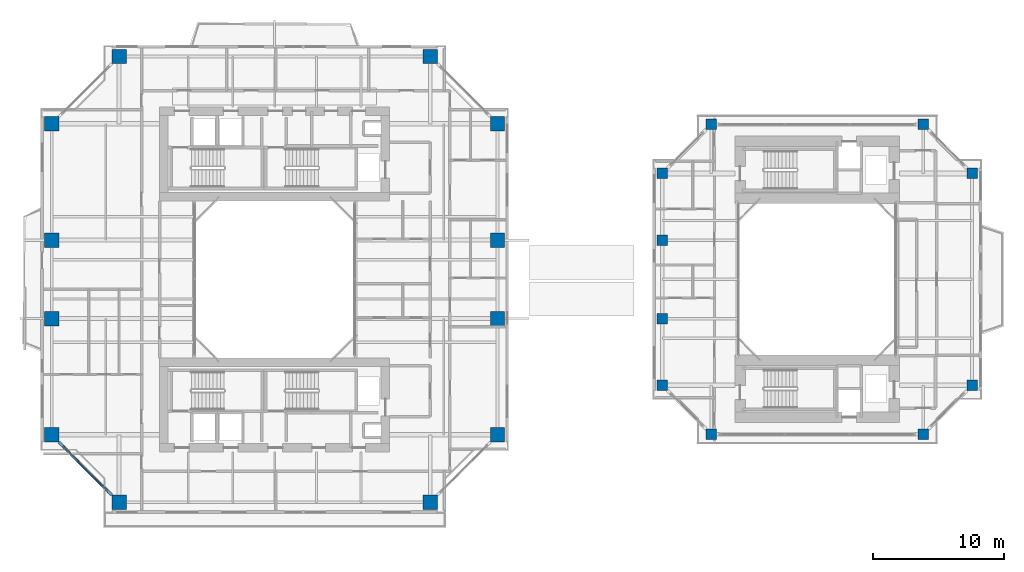
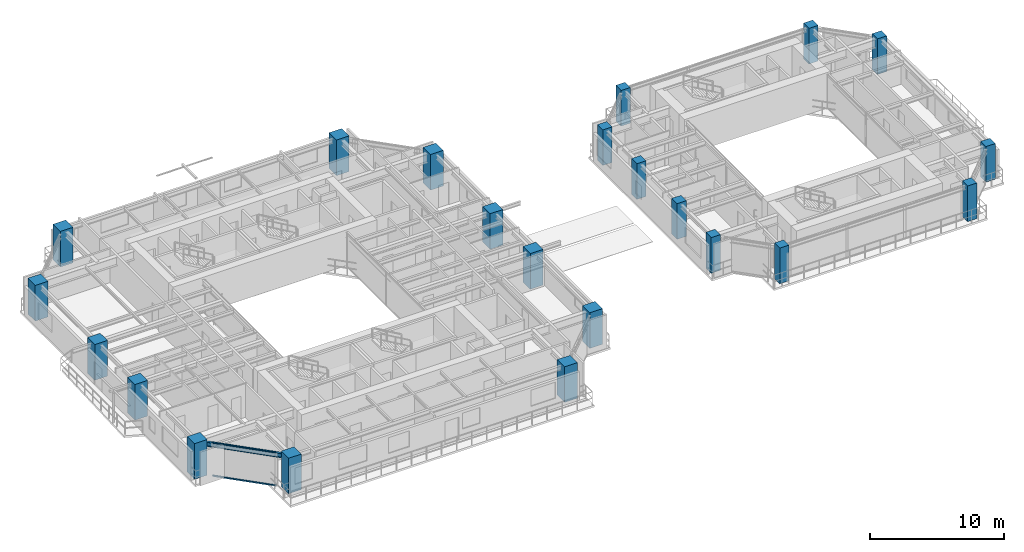
# One storey, part 1 of 23: 22 columns, 2 members, 1 beam, 1 element without a shape of its own.
"""IFC4 building model written with IfcOpenShell, lengths in metres."""

import ifcopenshell
import ifcopenshell.guid

model = None  # the IFC model being written
_history = None  # IfcOwnerHistory: only IFC2X3 demands one
_inside = {}  # id of a spatial element -> (the spatial element, [elements in it])
_under = {}  # id of a project, library or spatial element -> (it, [spatial elements below it])
_declared = {}  # id of a project -> (the project, [libraries it declares])
_typed = {}  # id of a type object -> (the type object, [elements of that type])
_made_of = {}  # id of a material, layer set ... -> (it, [elements and type objects made of it])


def new_model(schema):
    """Start an empty IFC model of exactly this schema.

    Asked for "IFC4X3", IfcOpenShell would pick the latest addendum, in which some entities
    have other attributes; the version numbers below select the first issue.
    IFC2X3 requires an IfcOwnerHistory on every rooted entity: one is made here for all.
    """
    global model, _history
    if schema == "IFC4X3":
        model = ifcopenshell.file(schema_version=(4, 3, 0, 0))
    else:
        model = ifcopenshell.file(schema=schema)
    _inside.clear()
    _under.clear()
    _declared.clear()
    _typed.clear()
    _made_of.clear()
    _history = None
    if model.schema == "IFC2X3":
        org = make("IfcOrganization", Name="unknown")
        user = make(
            "IfcPersonAndOrganization",
            ThePerson=make("IfcPerson", FamilyName="unknown"),
            TheOrganization=org,
        )
        app = make(
            "IfcApplication",
            ApplicationDeveloper=org,
            Version="unknown",
            ApplicationFullName="unknown",
            ApplicationIdentifier="unknown",
        )
        _history = make(
            "IfcOwnerHistory",
            OwningUser=user,
            OwningApplication=app,
            ChangeAction="ADDED",
            CreationDate=0,
        )
    return model


def make(cls, **values):
    """One entity of the class cls with the attributes given. An attribute that is None is left unset."""
    return model.create_entity(
        cls, **{name: value for name, value in values.items() if value is not None}
    )


def rooted(cls, **values):
    """An entity with a GlobalId (a new one), such as an element, a storey or a relation."""
    return make(cls, GlobalId=ifcopenshell.guid.new(), OwnerHistory=_history, **values)


def si_unit(unit_type, name, prefix=None):
    """IfcSIUnit, for example si_unit("LENGTHUNIT", "METRE", prefix="MILLI")."""
    return make("IfcSIUnit", UnitType=unit_type, Prefix=prefix, Name=name)


def assignment(units):
    """IfcUnitAssignment: the units of a project."""
    return None if units is None else make("IfcUnitAssignment", Units=units)


def point(xyz):
    """IfcCartesianPoint."""
    return None if xyz is None else make("IfcCartesianPoint", Coordinates=xyz)


def direction(xyz):
    """IfcDirection."""
    return None if xyz is None else make("IfcDirection", DirectionRatios=xyz)


def frame(location, z_axis=None, x_axis=None):
    """IfcAxis2Placement3D, a coordinate frame: its origin and axes. An axis left out is left unset."""
    return make(
        "IfcAxis2Placement3D",
        Location=point(location),
        Axis=direction(z_axis),
        RefDirection=direction(x_axis),
    )


def frame_2d(location, x_axis=None):
    """IfcAxis2Placement2D, a coordinate frame in the plane: its origin and x axis."""
    return make(
        "IfcAxis2Placement2D", Location=point(location), RefDirection=direction(x_axis)
    )


def origin():
    """The frame at (0, 0, 0) with its axes left unset."""
    return frame((0.0, 0.0, 0.0))


def origin_2d():
    """The frame at (0, 0) in the plane with its x axis left unset."""
    return frame_2d((0.0, 0.0))


def place(relative_to, where):
    """IfcLocalPlacement: puts the frame where relative to a parent placement (None: the world)."""
    return make(
        "IfcLocalPlacement", PlacementRelTo=relative_to, RelativePlacement=where
    )


def context(
    kind, dimensions, precision=None, world=None, true_north=None, identifier=None
):
    """IfcGeometricRepresentationContext, for example the 3D "Model" context."""
    return make(
        "IfcGeometricRepresentationContext",
        ContextIdentifier=identifier,
        ContextType=kind,
        CoordinateSpaceDimension=dimensions,
        Precision=precision,
        WorldCoordinateSystem=world,
        TrueNorth=true_north,
    )


def subcontext(parent, identifier, kind, view, scale=None):
    """IfcGeometricRepresentationSubContext, for example "Body" below "Model"."""
    return make(
        "IfcGeometricRepresentationSubContext",
        ContextIdentifier=identifier,
        ContextType=kind,
        ParentContext=parent,
        TargetScale=scale,
        TargetView=view,
    )


def project(units=None, contexts=None):
    """IfcProject with its units and contexts."""
    return rooted(
        "IfcProject",
        Name="project",
        RepresentationContexts=contexts,
        UnitsInContext=assignment(units),
    )


def spatial(cls, under=None, at=None, **own):
    """A site, building, storey or space (cls), placed at a placement, below another one or the project."""
    s = rooted(cls, ObjectPlacement=at, **own)
    if under is not None:
        _under.setdefault(under.id(), (under, []))[1].append(s)
    return s


def profile(cls, at=None, kind="AREA", **sizes):
    """A parametric profile (cls). Its sizes go by their IFC names, for example OverallWidth=200.0."""
    return make(cls, ProfileType=kind, Position=at, **sizes)


def rectangle(**sizes):
    """IfcRectangleProfileDef."""
    return profile("IfcRectangleProfileDef", **sizes)


def i_section(**sizes):
    """IfcIShapeProfileDef."""
    return profile("IfcIShapeProfileDef", **sizes)


def extrude(swept, where, along, depth):
    """IfcExtrudedAreaSolid: the profile swept, set in the frame where, extruded along a direction by depth."""
    return make(
        "IfcExtrudedAreaSolid",
        SweptArea=swept,
        Position=where,
        ExtrudedDirection=direction(along),
        Depth=depth,
    )


def shape(context_of_items, identifier, shape_type, items):
    """IfcShapeRepresentation: the items that make up one representation, for example the "Body"."""
    return make(
        "IfcShapeRepresentation",
        ContextOfItems=context_of_items,
        RepresentationIdentifier=identifier,
        RepresentationType=shape_type,
        Items=items,
    )


def source(mapping_origin, context_of_items, identifier, shape_type, items):
    """IfcRepresentationMap: a shape defined once, which mapped items show again and again."""
    return make(
        "IfcRepresentationMap",
        MappingOrigin=mapping_origin,
        MappedRepresentation=shape(context_of_items, identifier, shape_type, items),
    )


def transform(
    local_origin,
    x_axis=None,
    y_axis=None,
    z_axis=None,
    scale=None,
    scale2=None,
    scale3=None,
    uniform=True,
):
    """IfcCartesianTransformationOperator3D, or its non-uniform kind. x_axis, y_axis, z_axis: its Axis1, 2, 3."""
    if uniform:
        return make(
            "IfcCartesianTransformationOperator3D",
            Axis1=direction(x_axis),
            Axis2=direction(y_axis),
            LocalOrigin=point(local_origin),
            Scale=scale,
            Axis3=direction(z_axis),
        )
    return make(
        "IfcCartesianTransformationOperator3DnonUniform",
        Axis1=direction(x_axis),
        Axis2=direction(y_axis),
        LocalOrigin=point(local_origin),
        Scale=scale,
        Axis3=direction(z_axis),
        Scale2=scale2,
        Scale3=scale3,
    )


def mapped(mapping_source, mapping_target):
    """IfcMappedItem: shows the shape of a source again, moved by a transform."""
    return make(
        "IfcMappedItem", MappingSource=mapping_source, MappingTarget=mapping_target
    )


def material(Name=None, Category=None):
    """IfcMaterial."""
    return make("IfcMaterial", Name=Name, Category=Category)


def layer(
    of_material, thickness, ventilated=None, Name=None, Category=None, Priority=None
):
    """IfcMaterialLayer: one layer of a wall or slab, of a material (None: an air gap)."""
    return make(
        "IfcMaterialLayer",
        Material=of_material,
        LayerThickness=thickness,
        IsVentilated=ventilated,
        Name=Name,
        Category=Category,
        Priority=Priority,
    )


def layer_set(layers, Name=None):
    """IfcMaterialLayerSet."""
    return make("IfcMaterialLayerSet", MaterialLayers=layers, LayerSetName=Name)


def material_profile(
    of_material, cross_section, Name=None, Category=None, Priority=None
):
    """IfcMaterialProfile: a cross section and its material."""
    return make(
        "IfcMaterialProfile",
        Name=Name,
        Material=of_material,
        Profile=cross_section,
        Priority=Priority,
        Category=Category,
    )


def profile_set(profiles, Name=None, composite=None):
    """IfcMaterialProfileSet."""
    return make(
        "IfcMaterialProfileSet",
        Name=Name,
        MaterialProfiles=profiles,
        CompositeProfile=composite,
    )


def made_of(thing, what):
    """Note that an element or type object is made of a material, layer set ...; save() writes the relation."""
    if what is not None:
        _made_of.setdefault(what.id(), (what, []))[1].append(thing)
    return thing


def type_object(cls, material=None, **own):
    """A type object (cls), such as IfcWallType, which elements share."""
    return made_of(rooted(cls, **own), material)


def element(
    cls,
    number,
    at=None,
    inside=None,
    cuts=None,
    type_object=None,
    material=None,
    context=None,
    identifier="Body",
    shape_type=None,
    held_by="IfcProductDefinitionShape",
    body=None,
    shapes=None,
    **own,
):
    """One element of the class cls, such as IfcWall. Its Tag is "e" and its number.

    at: its placement. inside: the storey or other place that contains it. cuts: it is an
    opening in that element (IfcRelVoidsElement). A single representation is given by context,
    identifier, shape_type and body (its items); several are given by shapes. held_by: the class
    of the entity that holds the representations. save() writes the other relations.
    """
    e = rooted(cls, Tag="e%d" % number, ObjectPlacement=at, **own)
    if body is not None:
        shapes = [shape(context, identifier, shape_type, body)]
    if shapes is not None:
        e.Representation = make(held_by, Representations=shapes)
    if inside is not None:
        _inside.setdefault(inside.id(), (inside, []))[1].append(e)
    if cuts is not None:
        rooted(
            "IfcRelVoidsElement", RelatingBuildingElement=cuts, RelatedOpeningElement=e
        )
    if type_object is not None:
        _typed.setdefault(type_object.id(), (type_object, []))[1].append(e)
    return made_of(e, material)


def aggregate(whole, parts):
    """IfcRelAggregates: a whole, such as a stair, and the parts it consists of."""
    return rooted("IfcRelAggregates", RelatingObject=whole, RelatedObjects=parts)


def save(model, path):
    """Write the relations noted so far, then the file.

    IfcRelAggregates (storeys below a building ...), IfcRelContainedInSpatialStructure (elements
    in a storey), IfcRelDefinesByType, IfcRelAssociatesMaterial and IfcRelDeclares: one each for
    every whole, place, type object, material and project.
    """
    for whole, parts in _under.values():
        aggregate(whole, parts)
    for where, things in _inside.values():
        rooted(
            "IfcRelContainedInSpatialStructure",
            RelatedElements=things,
            RelatingStructure=where,
        )
    for kind, things in _typed.values():
        rooted("IfcRelDefinesByType", RelatedObjects=things, RelatingType=kind)
    for what, things in _made_of.values():
        rooted("IfcRelAssociatesMaterial", RelatedObjects=things, RelatingMaterial=what)
    for by, libraries in _declared.values():
        rooted("IfcRelDeclares", RelatingContext=by, RelatedDefinitions=libraries)
    model.write(path)


model = new_model("IFC4")

# Units and contexts
model_context = context("Model", 3, precision=1e-05, world=origin(), true_north=direction((0.0, 1.0)))
body_context = subcontext(model_context, "Body", "Model", "MODEL_VIEW")
ifc_project = project(units=[si_unit("LENGTHUNIT", "METRE"), si_unit("AREAUNIT", "SQUARE_METRE"), si_unit("VOLUMEUNIT", "CUBIC_METRE"), si_unit("PLANEANGLEUNIT", "RADIAN"), si_unit("MASSUNIT", "GRAM", prefix="KILO"), si_unit("THERMODYNAMICTEMPERATUREUNIT", "KELVIN"), si_unit("POWERUNIT", "WATT")], contexts=[model_context])

# Site, building, storey
site_placement = place(None, origin())
site = spatial("IfcSite", under=ifc_project, at=site_placement, CompositionType="ELEMENT")
building_placement = place(site_placement, origin())
building = spatial("IfcBuilding", under=site, at=building_placement, Name="Qiaomeng Ring Towers", CompositionType="ELEMENT")
storey_placement = place(building_placement, frame((0.0, 0.0, 97.0)))
storey = spatial("IfcBuildingStorey", under=building, at=storey_placement, Name="L27", CompositionType="ELEMENT", Elevation=97.0)

# Columns
ifc_material_1 = material(Name="Concrete C55", Category="concrete")
ifc_material_profile_1 = material_profile(ifc_material_1, rectangle(XDim=0.800048828125, YDim=0.800048828125, at=origin_2d()), Name="RC COL 800x800")
ifc_profile_set_1 = profile_set([ifc_material_profile_1], Name="Concrete C55")
column_type_1 = type_object("IfcColumnType", Name="STR-COL-800-C55", PredefinedType="COLUMN", material=ifc_profile_set_1)
shared_shape_1 = source(origin(), body_context, "Body", "SweptSolid", [
    extrude(rectangle(XDim=0.800048828125, YDim=0.800048828125, at=origin_2d()), origin(), (0.0, 0.0, 1.0), 3.25),
])
for number, where, z_axis, x_axis, name in (
    (1, (52.39990234375, 11.14990234375, 0.0), (0.0, 0.0, 1.0), (1.0, 0.0, 0.0), "L27 column STR-COL-L27-T2-S1"),
    (2, (68.60009765625, 11.14990234375, 0.0), (0.0, 0.0, 1.0), (1.0, 0.0, 0.0), "L27 column STR-COL-L27-T2-S2"),
    (3, (72.35009765625, 14.89990234375, 0.0), (0.0, 0.0, 1.0), (1.0, 0.0, 0.0), "L27 column STR-COL-L27-T2-E1"),
    (4, (72.35009765625, 31.10009765625, 0.0), (0.0, 0.0, 1.0), (1.0, 0.0, 0.0), "L27 column STR-COL-L27-T2-E2"),
    (5, (68.60009765625, 34.85009765625, 0.0), (0.0, 0.0, 1.0), (1.0, 0.0, 0.0), "L27 column STR-COL-L27-T2-N2"),
    (6, (52.39990234375, 34.85009765625, 0.0), (0.0, 0.0, 1.0), (1.0, 0.0, 0.0), "L27 column STR-COL-L27-T2-N1"),
    (7, (48.64990234375, 14.89990234375, 0.0), (0.0, 0.0, 1.0), (1.0, 0.0, 0.0), "L27 column STR-COL-L27-T2-W1"),
    (8, (48.64990234375, 20.0, 0.0), (0.0, 0.0, 1.0), (1.0, 0.0, 0.0), "L27 column STR-COL-L27-T2-W2"),
    (9, (48.64990234375, 26.0, 0.0), (0.0, 0.0, 1.0), (1.0, 0.0, 0.0), "L27 column STR-COL-L27-T2-W3"),
    (10, (48.64990234375, 31.10009765625, 0.0), (0.0, 0.0, 1.0), (1.0, 0.0, 0.0), "L27 column STR-COL-L27-T2-W4"),
):
    element("IfcColumn", number, at=place(storey_placement, frame(where, z_axis=z_axis, x_axis=x_axis)), inside=storey, type_object=column_type_1, Name=name, PredefinedType="COLUMN", context=body_context, shape_type="MappedRepresentation", body=[
        mapped(shared_shape_1, transform((0.0, 0.0, 0.0), x_axis=(1.0, 0.0, 0.0), y_axis=(0.0, 1.0, 0.0), z_axis=(0.0, 0.0, 1.0), scale=1.0)),
    ])
ifc_material_profile_2 = material_profile(ifc_material_1, rectangle(XDim=1.10009765625, YDim=1.10009765625, at=origin_2d()), Name="RC COL 1100x1100")
ifc_profile_set_2 = profile_set([ifc_material_profile_2], Name="Concrete C55")
column_type_2 = type_object("IfcColumnType", Name="STR-COL-1100-C55", PredefinedType="COLUMN", material=ifc_profile_set_2)
shared_shape_2 = source(origin(), body_context, "Body", "SweptSolid", [
    extrude(rectangle(XDim=1.10009765625, YDim=1.10009765625, at=origin_2d()), origin(), (0.0, 0.0, 1.0), 3.25),
])
for number, where, z_axis, x_axis, name in (
    (11, (7.10009765625, 5.949951171875, 0.0), (0.0, 0.0, 1.0), (1.0, 0.0, 0.0), "L27 column STR-COL-L27-T1-S1"),
    (12, (30.89990234375, 5.949951171875, 0.0), (0.0, 0.0, 1.0), (1.0, 0.0, 0.0), "L27 column STR-COL-L27-T1-S2"),
    (13, (36.050048828125, 11.10009765625, 0.0), (0.0, 0.0, 1.0), (1.0, 0.0, 0.0), "L27 column STR-COL-L27-T1-E1"),
    (14, (36.050048828125, 20.0, 0.0), (0.0, 0.0, 1.0), (1.0, 0.0, 0.0), "L27 column STR-COL-L27-T1-E2"),
    (15, (36.050048828125, 26.0, 0.0), (0.0, 0.0, 1.0), (1.0, 0.0, 0.0), "L27 column STR-COL-L27-T1-E3"),
    (16, (36.050048828125, 34.89990234375, 0.0), (0.0, 0.0, 1.0), (1.0, 0.0, 0.0), "L27 column STR-COL-L27-T1-E4"),
    (17, (30.89990234375, 40.050048828125, 0.0), (0.0, 0.0, 1.0), (1.0, 0.0, 0.0), "L27 column STR-COL-L27-T1-N2"),
    (18, (7.10009765625, 40.050048828125, 0.0), (0.0, 0.0, 1.0), (1.0, 0.0, 0.0), "L27 column STR-COL-L27-T1-N1"),
    (19, (1.949951171875, 34.89990234375, 0.0), (0.0, 0.0, 1.0), (1.0, 0.0, 0.0), "L27 column STR-COL-L27-T1-W4"),
    (20, (1.949951171875, 26.0, 0.0), (0.0, 0.0, 1.0), (1.0, 0.0, 0.0), "L27 column STR-COL-L27-T1-W3"),
    (21, (1.949951171875, 20.0, 0.0), (0.0, 0.0, 1.0), (1.0, 0.0, 0.0), "L27 column STR-COL-L27-T1-W2"),
    (22, (1.949951171875, 11.10009765625, 0.0), (0.0, 0.0, 1.0), (1.0, 0.0, 0.0), "L27 column STR-COL-L27-T1-W1"),
):
    element("IfcColumn", number, at=place(storey_placement, frame(where, z_axis=z_axis, x_axis=x_axis)), inside=storey, type_object=column_type_2, Name=name, PredefinedType="COLUMN", context=body_context, shape_type="MappedRepresentation", body=[
        mapped(shared_shape_2, transform((0.0, 0.0, 0.0), x_axis=(1.0, 0.0, 0.0), y_axis=(0.0, 1.0, 0.0), z_axis=(0.0, 0.0, 1.0), scale=1.0)),
    ])

# Beam
ifc_material_2 = material(Name="Steel Q355B", Category="steel")
ifc_material_profile_3 = material_profile(ifc_material_2, i_section(OverallWidth=0.199951171875, OverallDepth=0.39990234375, WebThickness=0.008056640625, FlangeThickness=0.012939453125, FilletRadius=0.01611328125, at=origin_2d()), Name="HN 400x200x8x13")
ifc_profile_set_3 = profile_set([ifc_material_profile_3], Name="Steel Q355B")
beam_type = type_object("IfcBeamType", Name="STR-BM-HN400", PredefinedType="SPANDREL", material=ifc_profile_set_3)
shared_shape_3 = source(origin(), body_context, "Body", "SweptSolid", [
    extrude(i_section(OverallWidth=0.199951171875, OverallDepth=0.39990234375, WebThickness=0.008056640625, FlangeThickness=0.012939453125, FilletRadius=0.01611328125, at=origin_2d()), origin(), (0.0, 0.0, 1.0), 5.729736328125),
])
beam_placement = place(storey_placement, frame((2.499267578125, 10.55078125, 2.8701171875), z_axis=(0.707106781187, -0.707106781187, 0.0), x_axis=(0.707106781187, 0.707106781187, 0.0)))
element("IfcBeam", 23, at=beam_placement, inside=storey, type_object=beam_type, Name="L27 beam STR-SP-L27-T1-W1-S1", PredefinedType="SPANDREL", context=body_context, shape_type="MappedRepresentation", body=[
    mapped(shared_shape_3, transform((0.0, 0.0, 0.0), x_axis=(1.0, 0.0, 0.0), y_axis=(0.0, 1.0, 0.0), z_axis=(0.0, 0.0, 1.0), scale=1.0)),
])

# Curtain wall, members
ifc_material_3 = material(Name="Fluorocarbon dark-grey aluminium", Category="aluminium")
ifc_layer = layer(ifc_material_3, 0.14990234375, Name="Fluorocarbon dark-grey aluminium")
ifc_layer_set = layer_set([ifc_layer], Name="Fluorocarbon dark-grey aluminium")
curtain_wall_type = type_object("IfcCurtainWallType", Name="ARC-CW-3", PredefinedType="NOTDEFINED", material=ifc_layer_set)
curtain_wall_placement = place(storey_placement, origin())
curtain_wall = element("IfcCurtainWall", 24, at=curtain_wall_placement, inside=storey, type_object=curtain_wall_type, Name="L27 Curtain Wall CW3", PredefinedType="NOTDEFINED")
ifc_material_profile_4 = material_profile(ifc_material_3, rectangle(XDim=0.06494140625, YDim=0.1298828125, at=origin_2d()), Name="ALU TRAN 65x130")
ifc_profile_set_4 = profile_set([ifc_material_profile_4], Name="Fluorocarbon dark-grey aluminium")
member_type = type_object("IfcMemberType", Name="ARC-CWT-120", PredefinedType="USERDEFINED", material=ifc_profile_set_4)
shared_shape_4 = source(origin(), body_context, "Body", "SweptSolid", [
    extrude(rectangle(XDim=0.06494140625, YDim=0.1298828125, at=origin_2d()), origin(), (0.0, 0.0, 1.0), 4.90869140625),
])
member_1_placement = place(storey_placement, frame((2.78955078125, 10.260498046875, 0.032470703125), z_axis=(0.707106781187, -0.707106781187, 0.0), x_axis=(0.707106781187, 0.707106781187, 0.0)))
member_1 = element("IfcMember", 25, at=member_1_placement, type_object=member_type, Name="CW3 transom 1.1", ObjectType="TRANSOM", PredefinedType="USERDEFINED", context=body_context, shape_type="MappedRepresentation", body=[
    mapped(shared_shape_4, transform((0.0, 0.0, 0.0), x_axis=(1.0, 0.0, 0.0), y_axis=(0.0, 1.0, 0.0), z_axis=(0.0, 0.0, 1.0), scale=1.0)),
])
member_2_placement = place(storey_placement, frame((2.78955078125, 10.260498046875, 3.03759765625), z_axis=(0.707106781187, -0.707106781187, 0.0), x_axis=(0.707106781187, 0.707106781187, 0.0)))
member_2 = element("IfcMember", 26, at=member_2_placement, type_object=member_type, Name="CW3 transom 1.2", ObjectType="TRANSOM", PredefinedType="USERDEFINED", context=body_context, shape_type="MappedRepresentation", body=[
    mapped(shared_shape_4, transform((0.0, 0.0, 0.0), x_axis=(1.0, 0.0, 0.0), y_axis=(0.0, 1.0, 0.0), z_axis=(0.0, 0.0, 1.0), scale=1.0)),
])
aggregate(curtain_wall, [member_1, member_2])

save(model, "model.ifc")
